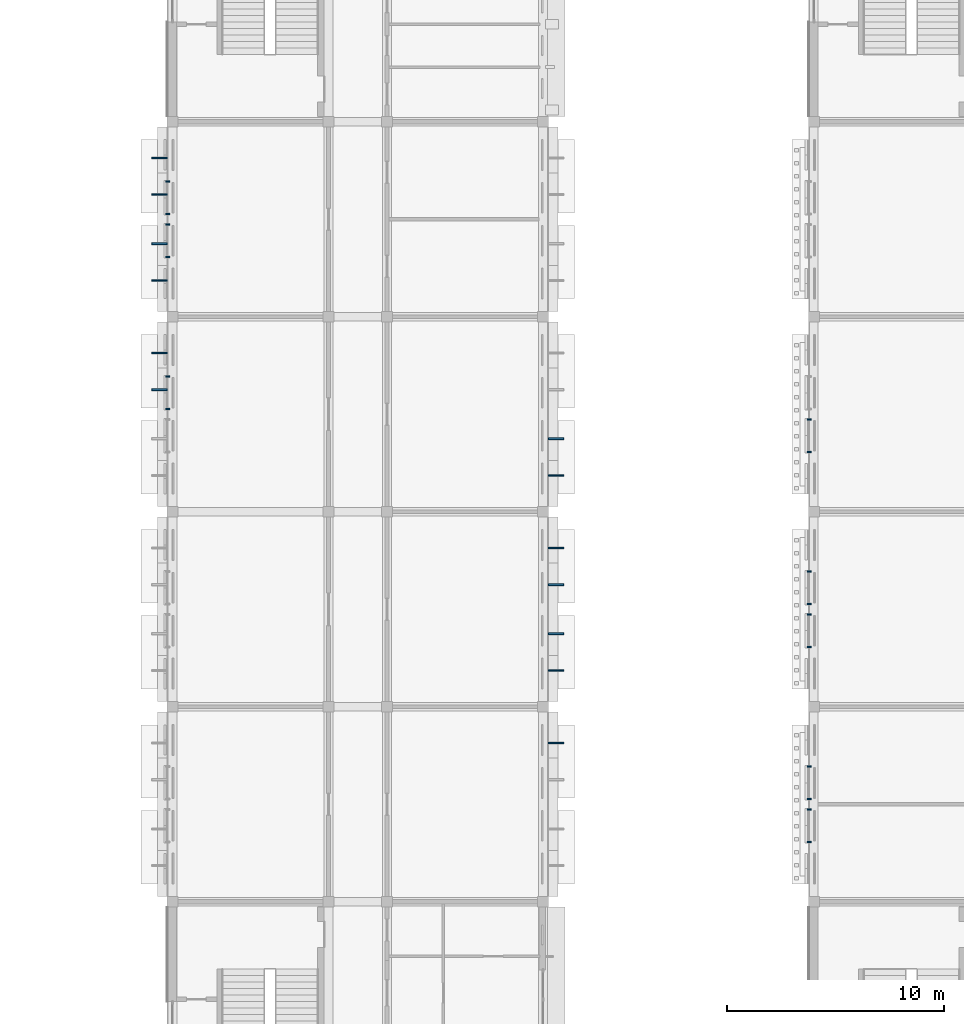
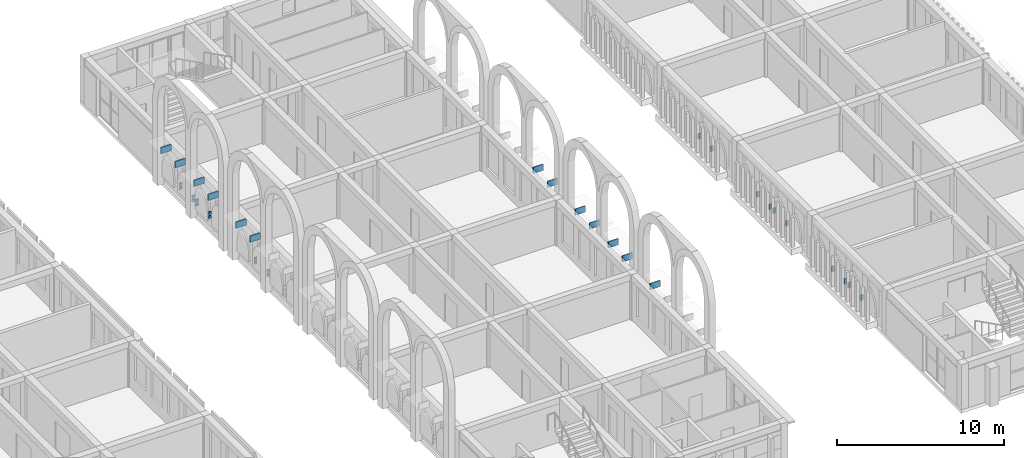
# One storey, part 51 of 70: 45 discrete accessories.
"""IFC4 building model written with IfcOpenShell, lengths in metres."""

from ifc_helpers import new_model, si_unit, direction, frame, origin, origin_2d, place, context, subcontext, project, spatial, rectangle, extrude, material, type_object, element, save


model = new_model("IFC4")

# Units and contexts
model_context = context("Model", 3, precision=1e-05, world=origin(), true_north=direction((0.0, 1.0)))
body_context = subcontext(model_context, "Body", "Model", "MODEL_VIEW")
ifc_project = project(units=[si_unit("LENGTHUNIT", "METRE"), si_unit("AREAUNIT", "SQUARE_METRE"), si_unit("VOLUMEUNIT", "CUBIC_METRE"), si_unit("PLANEANGLEUNIT", "RADIAN"), si_unit("MASSUNIT", "GRAM", prefix="KILO")], contexts=[model_context])

# Site, building, storey
site_placement = place(None, origin())
site = spatial("IfcSite", under=ifc_project, at=site_placement, CompositionType="ELEMENT")
building_placement = place(site_placement, origin())
building = spatial("IfcBuilding", under=site, at=building_placement, Name="Elbe Cascade School", CompositionType="ELEMENT")
storey_placement = place(building_placement, frame((0.0, 0.0, 8.10009765625)))
storey = spatial("IfcBuildingStorey", under=building, at=storey_placement, Name="L02", CompositionType="ELEMENT", Elevation=8.10009765625)

# Discrete accessories
ifc_material = material(Name="Steel S355J2, hot-dip galvanised", Category="steel")
discrete_accessory_type = type_object("IfcDiscreteAccessoryType", Name="Bars envelope Bracket, galvanised steel", PredefinedType="BRACKET", material=ifc_material)
for number, where, z_axis, x_axis, name in (
    (1, (98.389892578125, 37.739990234375, 0.75), (0.0, 0.0, 1.0), (0.0, 1.0, 0.0), "Bracket AC7 jali.w.4.br3ll"),
    (2, (98.389892578125, 37.739990234375, 1.0400390625), (0.0, 0.0, 1.0), (0.0, 1.0, 0.0), "Bracket AC7 jali.w.4.br3lu"),
    (3, (98.389892578125, 39.239990234375, 0.75), (0.0, 0.0, 1.0), (0.0, 1.0, 0.0), "Bracket AC7 jali.w.4.br3rl"),
    (4, (98.389892578125, 39.239990234375, 1.0400390625), (0.0, 0.0, 1.0), (0.0, 1.0, 0.0), "Bracket AC7 jali.w.4.br3ru"),
    (5, (98.389892578125, 44.760009765625, 0.75), (0.0, 0.0, 1.0), (0.0, 1.0, 0.0), "Bracket AC7 jali.w.5.br2ll"),
    (6, (98.389892578125, 44.760009765625, 1.0400390625), (0.0, 0.0, 1.0), (0.0, 1.0, 0.0), "Bracket AC7 jali.w.5.br2lu"),
    (7, (98.389892578125, 46.260009765625, 0.75), (0.0, 0.0, 1.0), (0.0, 1.0, 0.0), "Bracket AC7 jali.w.5.br2rl"),
    (8, (98.389892578125, 46.260009765625, 1.0400390625), (0.0, 0.0, 1.0), (0.0, 1.0, 0.0), "Bracket AC7 jali.w.5.br2ru"),
    (9, (98.389892578125, 46.739990234375, 0.75), (0.0, 0.0, 1.0), (0.0, 1.0, 0.0), "Bracket AC7 jali.w.5.br3ll"),
    (10, (98.389892578125, 46.739990234375, 1.0400390625), (0.0, 0.0, 1.0), (0.0, 1.0, 0.0), "Bracket AC7 jali.w.5.br3lu"),
    (11, (98.389892578125, 48.239990234375, 0.75), (0.0, 0.0, 1.0), (0.0, 1.0, 0.0), "Bracket AC7 jali.w.5.br3rl"),
    (12, (98.389892578125, 48.239990234375, 1.0400390625), (0.0, 0.0, 1.0), (0.0, 1.0, 0.0), "Bracket AC7 jali.w.5.br3ru"),
):
    element("IfcDiscreteAccessory", number, at=place(storey_placement, frame(where, z_axis=z_axis, x_axis=x_axis)), inside=storey, type_object=discrete_accessory_type, Name=name, PredefinedType="BRACKET", context=body_context, shape_type="SweptSolid", body=[
        extrude(rectangle(XDim=0.080078125, YDim=0.179931640625, at=origin_2d()), origin(), (0.0, 0.0, 1.0), 0.199951171875),
    ])
for number, where, z_axis, x_axis, name in (
    (13, (98.0, 38.635009765625, 2.9697265625), (0.0, 0.0, 1.0), (0.0, 1.0, 0.0), "Bracket AC7 chslab.w.3.2.br1"),
    (14, (98.0, 40.324951171875, 2.9697265625), (0.0, 0.0, 1.0), (0.0, 1.0, 0.0), "Bracket AC7 chslab.w.3.2.br2"),
    (15, (98.0, 43.675048828125, 2.9697265625), (0.0, 0.0, 1.0), (0.0, 1.0, 0.0), "Bracket AC7 chslab.w.4.1.br1"),
    (16, (98.0, 45.364990234375, 2.9697265625), (0.0, 0.0, 1.0), (0.0, 1.0, 0.0), "Bracket AC7 chslab.w.4.1.br2"),
    (17, (98.0, 47.635009765625, 2.9697265625), (0.0, 0.0, 1.0), (0.0, 1.0, 0.0), "Bracket AC7 chslab.w.4.2.br1"),
    (18, (98.0, 49.324951171875, 2.9697265625), (0.0, 0.0, 1.0), (0.0, 1.0, 0.0), "Bracket AC7 chslab.w.4.2.br2"),
    (19, (116.300048828125, 22.324951171875, 2.9697265625), (0.0, 0.0, 1.0), (0.0, 1.0, 0.0), "Bracket AC7 chslab.e.1.2.br2"),
    (20, (116.300048828125, 25.675048828125, 2.9697265625), (0.0, 0.0, 1.0), (0.0, 1.0, 0.0), "Bracket AC7 chslab.e.2.1.br1"),
    (21, (116.300048828125, 27.364990234375, 2.9697265625), (0.0, 0.0, 1.0), (0.0, 1.0, 0.0), "Bracket AC7 chslab.e.2.1.br2"),
    (22, (116.300048828125, 29.635009765625, 2.9697265625), (0.0, 0.0, 1.0), (0.0, 1.0, 0.0), "Bracket AC7 chslab.e.2.2.br1"),
    (23, (116.300048828125, 31.324951171875, 2.9697265625), (0.0, 0.0, 1.0), (0.0, 1.0, 0.0), "Bracket AC7 chslab.e.2.2.br2"),
    (24, (116.300048828125, 34.675048828125, 2.9697265625), (0.0, 0.0, 1.0), (0.0, 1.0, 0.0), "Bracket AC7 chslab.e.3.1.br1"),
    (25, (116.300048828125, 36.364990234375, 2.9697265625), (0.0, 0.0, 1.0), (0.0, 1.0, 0.0), "Bracket AC7 chslab.e.3.1.br2"),
):
    element("IfcDiscreteAccessory", number, at=place(storey_placement, frame(where, z_axis=z_axis, x_axis=x_axis)), inside=storey, type_object=discrete_accessory_type, Name=name, PredefinedType="BRACKET", context=body_context, shape_type="SweptSolid", body=[
        extrude(rectangle(XDim=0.080078125, YDim=0.699951171875, at=origin_2d()), origin(), (0.0, 0.0, 1.0), 0.449951171875),
    ])
for number, where, z_axis, x_axis, name in (
    (26, (127.989990234375, 17.760009765625, 0.75), (0.0, 0.0, 1.0), (0.0, 1.0, 0.0), "Bracket AC7 jali.w.2.br2ll"),
    (27, (127.989990234375, 17.760009765625, 0.93994140625), (0.0, 0.0, 1.0), (0.0, 1.0, 0.0), "Bracket AC7 jali.w.2.br2lu"),
    (28, (127.989990234375, 19.260009765625, 0.75), (0.0, 0.0, 1.0), (0.0, 1.0, 0.0), "Bracket AC7 jali.w.2.br2rl"),
    (29, (127.989990234375, 19.260009765625, 0.93994140625), (0.0, 0.0, 1.0), (0.0, 1.0, 0.0), "Bracket AC7 jali.w.2.br2ru"),
    (30, (127.989990234375, 19.739990234375, 0.75), (0.0, 0.0, 1.0), (0.0, 1.0, 0.0), "Bracket AC7 jali.w.2.br3ll"),
    (31, (127.989990234375, 19.739990234375, 0.93994140625), (0.0, 0.0, 1.0), (0.0, 1.0, 0.0), "Bracket AC7 jali.w.2.br3lu"),
    (32, (127.989990234375, 21.239990234375, 0.75), (0.0, 0.0, 1.0), (0.0, 1.0, 0.0), "Bracket AC7 jali.w.2.br3rl"),
    (33, (127.989990234375, 21.239990234375, 0.93994140625), (0.0, 0.0, 1.0), (0.0, 1.0, 0.0), "Bracket AC7 jali.w.2.br3ru"),
    (34, (127.989990234375, 26.760009765625, 0.75), (0.0, 0.0, 1.0), (0.0, 1.0, 0.0), "Bracket AC7 jali.w.3.br2ll"),
    (35, (127.989990234375, 26.760009765625, 0.93994140625), (0.0, 0.0, 1.0), (0.0, 1.0, 0.0), "Bracket AC7 jali.w.3.br2lu"),
    (36, (127.989990234375, 28.260009765625, 0.75), (0.0, 0.0, 1.0), (0.0, 1.0, 0.0), "Bracket AC7 jali.w.3.br2rl"),
    (37, (127.989990234375, 28.260009765625, 0.93994140625), (0.0, 0.0, 1.0), (0.0, 1.0, 0.0), "Bracket AC7 jali.w.3.br2ru"),
    (38, (127.989990234375, 28.739990234375, 0.75), (0.0, 0.0, 1.0), (0.0, 1.0, 0.0), "Bracket AC7 jali.w.3.br3ll"),
    (39, (127.989990234375, 28.739990234375, 0.93994140625), (0.0, 0.0, 1.0), (0.0, 1.0, 0.0), "Bracket AC7 jali.w.3.br3lu"),
    (40, (127.989990234375, 30.239990234375, 0.75), (0.0, 0.0, 1.0), (0.0, 1.0, 0.0), "Bracket AC7 jali.w.3.br3rl"),
    (41, (127.989990234375, 30.239990234375, 0.93994140625), (0.0, 0.0, 1.0), (0.0, 1.0, 0.0), "Bracket AC7 jali.w.3.br3ru"),
    (42, (127.989990234375, 35.760009765625, 0.75), (0.0, 0.0, 1.0), (0.0, 1.0, 0.0), "Bracket AC7 jali.w.4.br2ll"),
    (43, (127.989990234375, 35.760009765625, 0.93994140625), (0.0, 0.0, 1.0), (0.0, 1.0, 0.0), "Bracket AC7 jali.w.4.br2lu"),
    (44, (127.989990234375, 37.260009765625, 0.75), (0.0, 0.0, 1.0), (0.0, 1.0, 0.0), "Bracket AC7 jali.w.4.br2rl"),
    (45, (127.989990234375, 37.260009765625, 0.93994140625), (0.0, 0.0, 1.0), (0.0, 1.0, 0.0), "Bracket AC7 jali.w.4.br2ru"),
):
    element("IfcDiscreteAccessory", number, at=place(storey_placement, frame(where, z_axis=z_axis, x_axis=x_axis)), inside=storey, type_object=discrete_accessory_type, Name=name, PredefinedType="BRACKET", context=body_context, shape_type="SweptSolid", body=[
        extrude(rectangle(XDim=0.080078125, YDim=0.179931640625, at=origin_2d()), origin(), (0.0, 0.0, 1.0), 0.199951171875),
    ])

save(model, "model.ifc")
